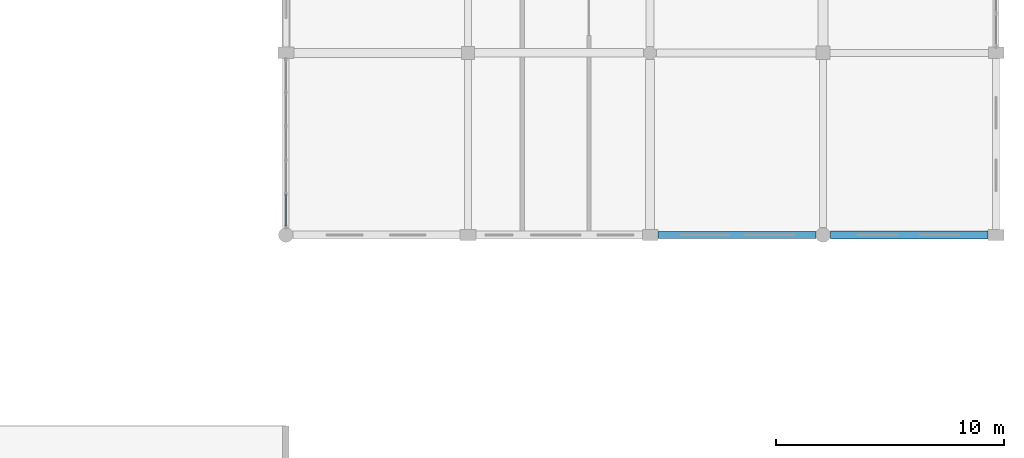
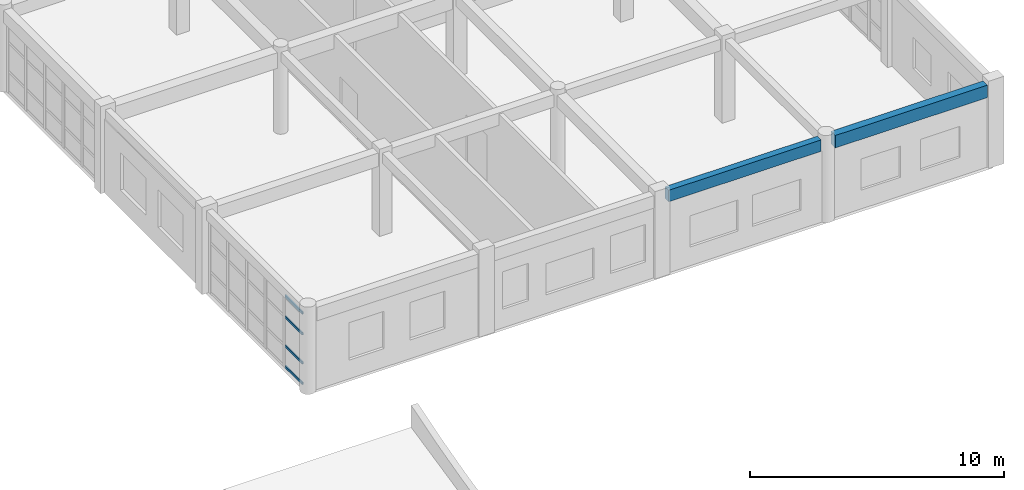
# One storey, part 17 of 53: 4 members, 2 beams, 1 element without a shape of its own.
"""IFC4 building model written with IfcOpenShell, lengths in metres."""

from ifc_helpers import new_model, si_unit, direction, frame, origin, origin_2d, place, context, subcontext, project, spatial, rectangle, hollow_rectangle, extrude, material, material_profile, profile_set, type_object, element, aggregate, save


model = new_model("IFC4")

# Units and contexts
model_context = context("Model", 3, precision=1e-05, world=origin(), true_north=direction((0.0, 1.0)))
body_context = subcontext(model_context, "Body", "Model", "MODEL_VIEW")
ifc_project = project(units=[si_unit("LENGTHUNIT", "METRE"), si_unit("AREAUNIT", "SQUARE_METRE"), si_unit("VOLUMEUNIT", "CUBIC_METRE"), si_unit("PLANEANGLEUNIT", "RADIAN"), si_unit("MASSUNIT", "GRAM", prefix="KILO")], contexts=[model_context])

# Site, building, storey
site_placement = place(None, origin())
site = spatial("IfcSite", under=ifc_project, at=site_placement, CompositionType="ELEMENT")
building_placement = place(site_placement, origin())
building = spatial("IfcBuilding", under=site, at=building_placement, Name="Kharva Crest Polytechnic", CompositionType="ELEMENT")
storey_placement = place(building_placement, frame((0.0, 0.0, 17.39990234375)))
storey = spatial("IfcBuildingStorey", under=building, at=storey_placement, Name="L04", CompositionType="ELEMENT", Elevation=17.39990234375)

# Curtain wall, members
ifc_material_1 = material(Name="Tempered insulated glass", Category="glass")
curtain_wall_type = type_object("IfcCurtainWallType", Name="CW-SYS-STUDIO", PredefinedType="USERDEFINED", material=ifc_material_1)
curtain_wall_placement = place(storey_placement, origin())
curtain_wall = element("IfcCurtainWall", 1, at=curtain_wall_placement, inside=storey, type_object=curtain_wall_type, Name="L04 Glazed Curtain Wall CW-185", ObjectType="CURTAIN WALL", PredefinedType="USERDEFINED")
ifc_material_2 = material(Name="Steel S355", Category="steel")
ifc_material_profile_1 = material_profile(ifc_material_2, hollow_rectangle(XDim=0.06005859375, YDim=0.1201171875, WallThickness=0.00390625, at=origin_2d()), Name="RHS 120X60X4.0")
ifc_profile_set_1 = profile_set([ifc_material_profile_1], Name="Steel S355")
member_type = type_object("IfcMemberType", Name="CWT-RHS120X60", PredefinedType="USERDEFINED", material=ifc_profile_set_1)
member_1_placement = place(storey_placement, frame((152.800048828125, 40.569091796875, 0.06005859375), z_axis=(0.0, -1.0, 0.0), x_axis=(1.0, 0.0, 0.0)))
member_1 = element("IfcMember", 2, at=member_1_placement, type_object=member_type, Name="CW-185 transom 5.1", ObjectType="TRANSOM", PredefinedType="USERDEFINED", context=body_context, shape_type="SweptSolid", body=[
    extrude(hollow_rectangle(XDim=0.06005859375, YDim=0.1201171875, WallThickness=0.00390625, at=origin_2d()), origin(), (0.0, 0.0, 1.0), 1.364013671875),
])
member_2_placement = place(storey_placement, frame((152.800048828125, 40.569091796875, 1.050048828125), z_axis=(0.0, -1.0, 0.0), x_axis=(1.0, 0.0, 0.0)))
member_2 = element("IfcMember", 3, at=member_2_placement, type_object=member_type, Name="CW-185 transom 5.2", ObjectType="TRANSOM", PredefinedType="USERDEFINED", context=body_context, shape_type="SweptSolid", body=[
    extrude(hollow_rectangle(XDim=0.06005859375, YDim=0.1201171875, WallThickness=0.00390625, at=origin_2d()), origin(), (0.0, 0.0, 1.0), 1.364013671875),
])
member_3_placement = place(storey_placement, frame((152.800048828125, 40.569091796875, 2.4501953125), z_axis=(0.0, -1.0, 0.0), x_axis=(1.0, 0.0, 0.0)))
member_3 = element("IfcMember", 4, at=member_3_placement, type_object=member_type, Name="CW-185 transom 5.3", ObjectType="TRANSOM", PredefinedType="USERDEFINED", context=body_context, shape_type="SweptSolid", body=[
    extrude(hollow_rectangle(XDim=0.06005859375, YDim=0.1201171875, WallThickness=0.00390625, at=origin_2d()), origin(), (0.0, 0.0, 1.0), 1.364013671875),
])
member_4_placement = place(storey_placement, frame((152.800048828125, 40.569091796875, 3.4501953125), z_axis=(0.0, -1.0, 0.0), x_axis=(1.0, 0.0, 0.0)))
member_4 = element("IfcMember", 5, at=member_4_placement, type_object=member_type, Name="CW-185 transom 5.4", ObjectType="TRANSOM", PredefinedType="USERDEFINED", context=body_context, shape_type="SweptSolid", body=[
    extrude(hollow_rectangle(XDim=0.06005859375, YDim=0.1201171875, WallThickness=0.00390625, at=origin_2d()), origin(), (0.0, 0.0, 1.0), 1.364013671875),
])
aggregate(curtain_wall, [member_1, member_2, member_3, member_4])

# Beams
ifc_material_3 = material(Name="Concrete C35/45", Category="concrete")
ifc_material_profile_2 = material_profile(ifc_material_3, rectangle(XDim=0.300048828125, YDim=0.550048828125, at=origin_2d()), Name="RECT 300 X 550")
ifc_profile_set_2 = profile_set([ifc_material_profile_2], Name="Concrete C35/45")
beam_type_1 = type_object("IfcBeamType", Name="SP-RC-300X550", PredefinedType="SPANDREL", material=ifc_profile_set_2)
beam_1_placement = place(storey_placement, frame((169.139892578125, 38.800048828125, 3.695068359375), z_axis=(1.0, 0.0, 0.0), x_axis=(0.0, 1.0, 0.0)))
element("IfcBeam", 6, at=beam_1_placement, inside=storey, type_object=beam_type_1, Name="L04 Beam FJ/22-23", PredefinedType="SPANDREL", context=body_context, shape_type="SweptSolid", body=[
    extrude(rectangle(XDim=0.300048828125, YDim=0.550048828125, at=origin_2d()), origin(), (0.0, 0.0, 1.0), 6.940185546875),
])
ifc_material_profile_3 = material_profile(ifc_material_3, rectangle(XDim=0.340087890625, YDim=0.60009765625, at=origin_2d()), Name="RECT 340 X 600")
ifc_profile_set_3 = profile_set([ifc_material_profile_3], Name="Concrete C35/45")
beam_type_2 = type_object("IfcBeamType", Name="SP-RC-340X600", PredefinedType="SPANDREL", material=ifc_profile_set_3)
beam_2_placement = place(storey_placement, frame((176.719970703125, 38.800048828125, 3.670166015625), z_axis=(1.0, 0.0, 0.0), x_axis=(0.0, 1.0, 0.0)))
element("IfcBeam", 7, at=beam_2_placement, inside=storey, type_object=beam_type_2, Name="L04 Beam FJ/23-24", PredefinedType="SPANDREL", context=body_context, shape_type="SweptSolid", body=[
    extrude(rectangle(XDim=0.340087890625, YDim=0.60009765625, at=origin_2d()), origin(), (0.0, 0.0, 1.0), 6.929931640625),
])

save(model, "model.ifc")
